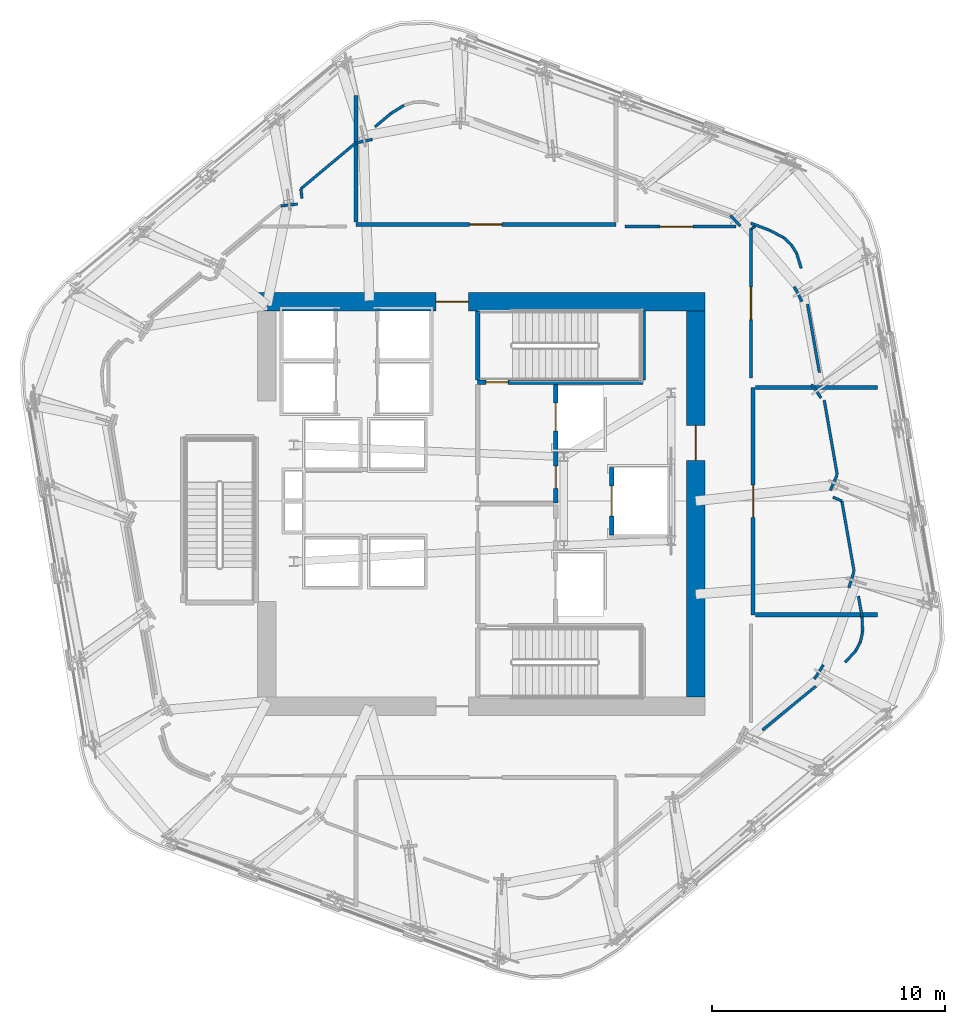
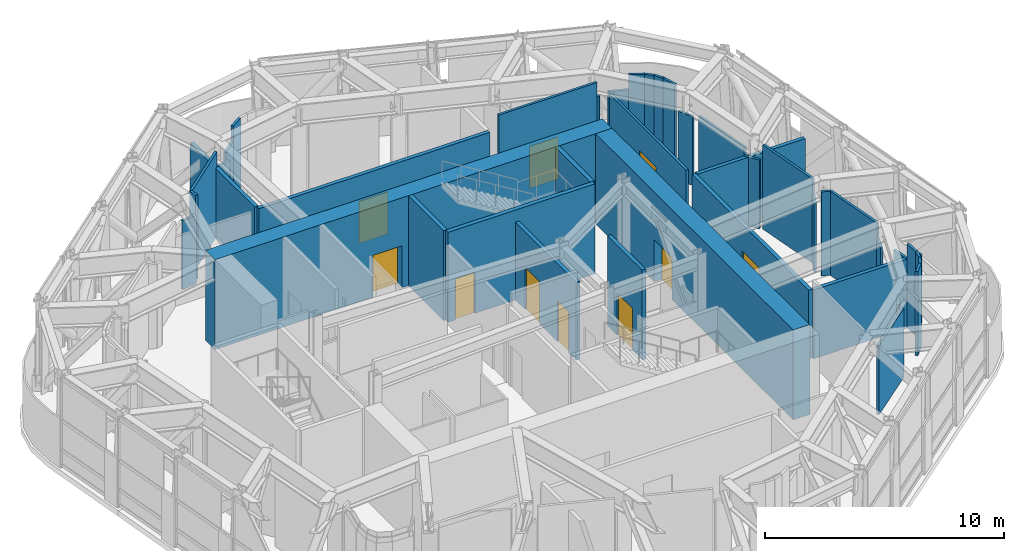
# One storey, part 11 of 16: 42 walls, 10 doors, 10 openings.
"""IFC4 building model written with IfcOpenShell, lengths in metres."""

import ifcopenshell
import ifcopenshell.guid

model = None  # the IFC model being written
_history = None  # IfcOwnerHistory: only IFC2X3 demands one
_inside = {}  # id of a spatial element -> (the spatial element, [elements in it])
_under = {}  # id of a project, library or spatial element -> (it, [spatial elements below it])
_declared = {}  # id of a project -> (the project, [libraries it declares])
_typed = {}  # id of a type object -> (the type object, [elements of that type])
_made_of = {}  # id of a material, layer set ... -> (it, [elements and type objects made of it])


def new_model(schema):
    """Start an empty IFC model of exactly this schema.

    Asked for "IFC4X3", IfcOpenShell would pick the latest addendum, in which some entities
    have other attributes; the version numbers below select the first issue.
    IFC2X3 requires an IfcOwnerHistory on every rooted entity: one is made here for all.
    """
    global model, _history
    if schema == "IFC4X3":
        model = ifcopenshell.file(schema_version=(4, 3, 0, 0))
    else:
        model = ifcopenshell.file(schema=schema)
    _inside.clear()
    _under.clear()
    _declared.clear()
    _typed.clear()
    _made_of.clear()
    _history = None
    if model.schema == "IFC2X3":
        org = make("IfcOrganization", Name="unknown")
        user = make(
            "IfcPersonAndOrganization",
            ThePerson=make("IfcPerson", FamilyName="unknown"),
            TheOrganization=org,
        )
        app = make(
            "IfcApplication",
            ApplicationDeveloper=org,
            Version="unknown",
            ApplicationFullName="unknown",
            ApplicationIdentifier="unknown",
        )
        _history = make(
            "IfcOwnerHistory",
            OwningUser=user,
            OwningApplication=app,
            ChangeAction="ADDED",
            CreationDate=0,
        )
    return model


def make(cls, **values):
    """One entity of the class cls with the attributes given. An attribute that is None is left unset."""
    return model.create_entity(
        cls, **{name: value for name, value in values.items() if value is not None}
    )


def rooted(cls, **values):
    """An entity with a GlobalId (a new one), such as an element, a storey or a relation."""
    return make(cls, GlobalId=ifcopenshell.guid.new(), OwnerHistory=_history, **values)


def si_unit(unit_type, name, prefix=None):
    """IfcSIUnit, for example si_unit("LENGTHUNIT", "METRE", prefix="MILLI")."""
    return make("IfcSIUnit", UnitType=unit_type, Prefix=prefix, Name=name)


def assignment(units):
    """IfcUnitAssignment: the units of a project."""
    return None if units is None else make("IfcUnitAssignment", Units=units)


def point(xyz):
    """IfcCartesianPoint."""
    return None if xyz is None else make("IfcCartesianPoint", Coordinates=xyz)


def direction(xyz):
    """IfcDirection."""
    return None if xyz is None else make("IfcDirection", DirectionRatios=xyz)


def frame(location, z_axis=None, x_axis=None):
    """IfcAxis2Placement3D, a coordinate frame: its origin and axes. An axis left out is left unset."""
    return make(
        "IfcAxis2Placement3D",
        Location=point(location),
        Axis=direction(z_axis),
        RefDirection=direction(x_axis),
    )


def frame_2d(location, x_axis=None):
    """IfcAxis2Placement2D, a coordinate frame in the plane: its origin and x axis."""
    return make(
        "IfcAxis2Placement2D", Location=point(location), RefDirection=direction(x_axis)
    )


def origin():
    """The frame at (0, 0, 0) with its axes left unset."""
    return frame((0.0, 0.0, 0.0))


def place(relative_to, where):
    """IfcLocalPlacement: puts the frame where relative to a parent placement (None: the world)."""
    return make(
        "IfcLocalPlacement", PlacementRelTo=relative_to, RelativePlacement=where
    )


def context(
    kind, dimensions, precision=None, world=None, true_north=None, identifier=None
):
    """IfcGeometricRepresentationContext, for example the 3D "Model" context."""
    return make(
        "IfcGeometricRepresentationContext",
        ContextIdentifier=identifier,
        ContextType=kind,
        CoordinateSpaceDimension=dimensions,
        Precision=precision,
        WorldCoordinateSystem=world,
        TrueNorth=true_north,
    )


def subcontext(parent, identifier, kind, view, scale=None):
    """IfcGeometricRepresentationSubContext, for example "Body" below "Model"."""
    return make(
        "IfcGeometricRepresentationSubContext",
        ContextIdentifier=identifier,
        ContextType=kind,
        ParentContext=parent,
        TargetScale=scale,
        TargetView=view,
    )


def project(units=None, contexts=None):
    """IfcProject with its units and contexts."""
    return rooted(
        "IfcProject",
        Name="project",
        RepresentationContexts=contexts,
        UnitsInContext=assignment(units),
    )


def spatial(cls, under=None, at=None, **own):
    """A site, building, storey or space (cls), placed at a placement, below another one or the project."""
    s = rooted(cls, ObjectPlacement=at, **own)
    if under is not None:
        _under.setdefault(under.id(), (under, []))[1].append(s)
    return s


def profile(cls, at=None, kind="AREA", **sizes):
    """A parametric profile (cls). Its sizes go by their IFC names, for example OverallWidth=200.0."""
    return make(cls, ProfileType=kind, Position=at, **sizes)


def rectangle(**sizes):
    """IfcRectangleProfileDef."""
    return profile("IfcRectangleProfileDef", **sizes)


def extrude(swept, where, along, depth):
    """IfcExtrudedAreaSolid: the profile swept, set in the frame where, extruded along a direction by depth."""
    return make(
        "IfcExtrudedAreaSolid",
        SweptArea=swept,
        Position=where,
        ExtrudedDirection=direction(along),
        Depth=depth,
    )


def shape(context_of_items, identifier, shape_type, items):
    """IfcShapeRepresentation: the items that make up one representation, for example the "Body"."""
    return make(
        "IfcShapeRepresentation",
        ContextOfItems=context_of_items,
        RepresentationIdentifier=identifier,
        RepresentationType=shape_type,
        Items=items,
    )


def material(Name=None, Category=None):
    """IfcMaterial."""
    return make("IfcMaterial", Name=Name, Category=Category)


def layer(
    of_material, thickness, ventilated=None, Name=None, Category=None, Priority=None
):
    """IfcMaterialLayer: one layer of a wall or slab, of a material (None: an air gap)."""
    return make(
        "IfcMaterialLayer",
        Material=of_material,
        LayerThickness=thickness,
        IsVentilated=ventilated,
        Name=Name,
        Category=Category,
        Priority=Priority,
    )


def layer_set(layers, Name=None):
    """IfcMaterialLayerSet."""
    return make("IfcMaterialLayerSet", MaterialLayers=layers, LayerSetName=Name)


def made_of(thing, what):
    """Note that an element or type object is made of a material, layer set ...; save() writes the relation."""
    if what is not None:
        _made_of.setdefault(what.id(), (what, []))[1].append(thing)
    return thing


def type_object(cls, material=None, **own):
    """A type object (cls), such as IfcWallType, which elements share."""
    return made_of(rooted(cls, **own), material)


def element(
    cls,
    number,
    at=None,
    inside=None,
    cuts=None,
    type_object=None,
    material=None,
    context=None,
    identifier="Body",
    shape_type=None,
    held_by="IfcProductDefinitionShape",
    body=None,
    shapes=None,
    **own,
):
    """One element of the class cls, such as IfcWall. Its Tag is "e" and its number.

    at: its placement. inside: the storey or other place that contains it. cuts: it is an
    opening in that element (IfcRelVoidsElement). A single representation is given by context,
    identifier, shape_type and body (its items); several are given by shapes. held_by: the class
    of the entity that holds the representations. save() writes the other relations.
    """
    e = rooted(cls, Tag="e%d" % number, ObjectPlacement=at, **own)
    if body is not None:
        shapes = [shape(context, identifier, shape_type, body)]
    if shapes is not None:
        e.Representation = make(held_by, Representations=shapes)
    if inside is not None:
        _inside.setdefault(inside.id(), (inside, []))[1].append(e)
    if cuts is not None:
        rooted(
            "IfcRelVoidsElement", RelatingBuildingElement=cuts, RelatedOpeningElement=e
        )
    if type_object is not None:
        _typed.setdefault(type_object.id(), (type_object, []))[1].append(e)
    return made_of(e, material)


def fill(opening, filler):
    """IfcRelFillsElement: the door or window that sits in an opening."""
    return rooted(
        "IfcRelFillsElement",
        RelatingOpeningElement=opening,
        RelatedBuildingElement=filler,
    )


def aggregate(whole, parts):
    """IfcRelAggregates: a whole, such as a stair, and the parts it consists of."""
    return rooted("IfcRelAggregates", RelatingObject=whole, RelatedObjects=parts)


def save(model, path):
    """Write the relations noted so far, then the file.

    IfcRelAggregates (storeys below a building ...), IfcRelContainedInSpatialStructure (elements
    in a storey), IfcRelDefinesByType, IfcRelAssociatesMaterial and IfcRelDeclares: one each for
    every whole, place, type object, material and project.
    """
    for whole, parts in _under.values():
        aggregate(whole, parts)
    for where, things in _inside.values():
        rooted(
            "IfcRelContainedInSpatialStructure",
            RelatedElements=things,
            RelatingStructure=where,
        )
    for kind, things in _typed.values():
        rooted("IfcRelDefinesByType", RelatedObjects=things, RelatingType=kind)
    for what, things in _made_of.values():
        rooted("IfcRelAssociatesMaterial", RelatedObjects=things, RelatingMaterial=what)
    for by, libraries in _declared.values():
        rooted("IfcRelDeclares", RelatingContext=by, RelatedDefinitions=libraries)
    model.write(path)


model = new_model("IFC4")

# Units and contexts
model_context = context("Model", 3, precision=1e-05, world=origin(), true_north=direction((0.0, 1.0)))
body_context = subcontext(model_context, "Body", "Model", "MODEL_VIEW")
ifc_project = project(units=[si_unit("LENGTHUNIT", "METRE"), si_unit("AREAUNIT", "SQUARE_METRE"), si_unit("VOLUMEUNIT", "CUBIC_METRE"), si_unit("PLANEANGLEUNIT", "RADIAN"), si_unit("MASSUNIT", "GRAM", prefix="KILO")], contexts=[model_context])

# Site, building, storey
site_placement = place(None, origin())
site = spatial("IfcSite", under=ifc_project, at=site_placement, CompositionType="ELEMENT")
building_placement = place(site_placement, origin())
building = spatial("IfcBuilding", under=site, at=building_placement, Name="Valkerne Bourse Tower", CompositionType="ELEMENT")
storey_placement = place(building_placement, frame((0.0, 0.0, 193.199951171875)))
storey = spatial("IfcBuildingStorey", under=building, at=storey_placement, Name="L49", CompositionType="ELEMENT", Elevation=193.199951171875)

# Wall, opening, door
ifc_material_1 = material(Name="Concrete C55/67", Category="concrete")
ifc_layer_1 = layer(ifc_material_1, 0.800048828125)
ifc_layer_set_1 = layer_set([ifc_layer_1], Name="Concrete C55/67")
wall_type_1 = type_object("IfcWallType", Name="W-CORE-800", PredefinedType="SHEAR", material=ifc_layer_set_1)
wall_1_placement = place(storey_placement, frame((37.199951171875, 35.550048828125, 0.0), z_axis=(0.0, 0.0, 1.0), x_axis=(1.0, 0.0, 0.0)))
wall_1 = element("IfcWall", 1, at=wall_1_placement, inside=storey, type_object=wall_type_1, Name="L49 Core Shear Wall NORTH", PredefinedType="SHEAR", context=body_context, shape_type="SweptSolid", body=[
    extrude(rectangle(XDim=19.199951171875, YDim=0.800048828125, at=frame_2d((9.60009765625, 0.0))), origin(), (0.0, 0.0, 1.0), 4.60009765625),
])
opening_1_placement = place(wall_1_placement, frame((7.64990234375, 0.0, 0.0)))
opening_1 = element("IfcOpeningElement", 2, at=opening_1_placement, cuts=wall_1, Name="Opening D-PL-1400", PredefinedType="OPENING", context=body_context, shape_type="SweptSolid", body=[
    extrude(rectangle(XDim=1.39990234375, YDim=2.14990234375, at=frame_2d((0.699951171875, 1.074951171875))), frame((0.0, 0.409912109375, 0.0), z_axis=(0.0, -1.0, 0.0), x_axis=(1.0, 0.0, 0.0)), (0.0, 0.0, 1.0), 0.820068359375),
])
ifc_material_2 = material(Name="Galvanised Painted Steel", Category="steel")
door_type_1 = type_object("IfcDoorType", Name="DR-PLT-1400", OperationType="DOUBLE_DOOR_SINGLE_SWING", PredefinedType="DOOR", material=ifc_material_2)
door_1_placement = place(opening_1_placement, origin())
door_1 = element("IfcDoor", 3, at=door_1_placement, inside=storey, type_object=door_type_1, Name="L49 North Passenger Lift Hall Fire Door", OperationType="DOUBLE_DOOR_SINGLE_SWING", OverallHeight=2.14990234375, OverallWidth=1.39990234375, PredefinedType="DOOR", context=body_context, shape_type="SweptSolid", body=[
    extrude(rectangle(XDim=1.39990234375, YDim=2.14990234375, at=frame_2d((0.699951171875, 1.074951171875))), frame((0.0, 0.02490234375, 0.0), z_axis=(0.0, -1.0, 0.0), x_axis=(1.0, 0.0, 0.0)), (0.0, 0.0, 1.0), 0.050048828125),
])
fill(opening_1, door_1)

wall_2_placement = place(storey_placement, frame((56.0, 18.60009765625, 0.0), z_axis=(0.0, 0.0, 1.0), x_axis=(0.0, 1.0, 0.0)))
wall_2 = element("IfcWall", 4, at=wall_2_placement, inside=storey, type_object=wall_type_1, Name="L49 Core Shear Wall EAST", PredefinedType="SHEAR", context=body_context, shape_type="SweptSolid", body=[
    extrude(rectangle(XDim=16.5498046875, YDim=0.800048828125, at=frame_2d((8.27490234375, 0.0))), origin(), (0.0, 0.0, 1.0), 4.60009765625),
])
opening_2_placement = place(wall_2_placement, frame((10.14990234375, 0.0, 0.0)))
opening_2 = element("IfcOpeningElement", 5, at=opening_2_placement, cuts=wall_2, Name="Opening D-CR-1500", PredefinedType="OPENING", context=body_context, shape_type="SweptSolid", body=[
    extrude(rectangle(XDim=1.5, YDim=2.14990234375, at=frame_2d((0.75, 1.074951171875))), frame((0.0, 0.409912109375, 0.0), z_axis=(0.0, -1.0, 0.0), x_axis=(1.0, 0.0, 0.0)), (0.0, 0.0, 1.0), 0.820068359375),
])
door_type_2 = type_object("IfcDoorType", Name="DR-CORR-1500", OperationType="DOUBLE_DOOR_SINGLE_SWING", PredefinedType="DOOR", material=ifc_material_2)
door_2_placement = place(opening_2_placement, origin())
door_2 = element("IfcDoor", 6, at=door_2_placement, inside=storey, type_object=door_type_2, Name="L49 East Core Service Lobby Fire Door", OperationType="DOUBLE_DOOR_SINGLE_SWING", OverallHeight=2.14990234375, OverallWidth=1.5, PredefinedType="DOOR", context=body_context, shape_type="SweptSolid", body=[
    extrude(rectangle(XDim=1.5, YDim=2.14990234375, at=frame_2d((0.75, 1.074951171875))), frame((0.0, 0.02490234375, 0.0), z_axis=(0.0, -1.0, 0.0), x_axis=(1.0, 0.0, 0.0)), (0.0, 0.0, 1.0), 0.050048828125),
])
fill(opening_2, door_2)

# Walls
ifc_material_3 = material(Name="Gypsum Board Steel-Stud Partition", Category="steel")
ifc_layer_2 = layer(ifc_material_3, 0.117919921875)
ifc_layer_set_2 = layer_set([ifc_layer_2], Name="Gypsum Board Steel-Stud Partition")
wall_type_2 = type_object("IfcWallType", Name="W-CORR-140", PredefinedType="PARTITIONING", material=ifc_layer_set_2)
wall_3_placement = place(storey_placement, frame((60.2314453125, 36.199462890625, 0.0), z_axis=(0.0, 0.0, 1.0), x_axis=(0.462206703767, -0.886772215957, 0.0)))
element("IfcWall", 7, at=wall_3_placement, inside=storey, type_object=wall_type_2, Name="L49 L49 Outrigger Truss Gallery Ring Wall", PredefinedType="PARTITIONING", context=body_context, shape_type="SweptSolid", body=[
    extrude(rectangle(XDim=0.719970703125, YDim=0.117919921875, at=frame_2d((0.35986328125, 0.0))), origin(), (0.0, 0.0, 1.0), 3.523193359375),
])
wall_4_placement = place(storey_placement, frame((60.802734375, 35.447265625, 0.0), z_axis=(0.0, 0.0, 1.0), x_axis=(0.171888490013, -0.985116412918, 0.0)))
element("IfcWall", 8, at=wall_4_placement, inside=storey, type_object=wall_type_2, Name="L49 L49 Outrigger Truss Gallery Ring Wall", PredefinedType="PARTITIONING", context=body_context, shape_type="SweptSolid", body=[
    extrude(rectangle(XDim=2.97412109375, YDim=0.117919921875, at=frame_2d((1.487060546875, 0.0))), origin(), (0.0, 0.0, 1.0), 3.523193359375),
])
wall_5_placement = place(storey_placement, frame((60.973388671875, 32.008056640625, 0.0), z_axis=(0.0, 0.0, 1.0), x_axis=(0.576030770837, -0.817428009704, 0.0)))
element("IfcWall", 9, at=wall_5_placement, inside=storey, type_object=wall_type_2, Name="L49 L49 Outrigger Truss Gallery Ring Wall", PredefinedType="PARTITIONING", context=body_context, shape_type="SweptSolid", body=[
    extrude(rectangle(XDim=0.719970703125, YDim=0.117919921875, at=frame_2d((0.35986328125, 0.0))), origin(), (0.0, 0.0, 1.0), 3.523193359375),
])
wall_6_placement = place(storey_placement, frame((61.520751953125, 31.33154296875, 0.0), z_axis=(0.0, 0.0, 1.0), x_axis=(0.171858524187, -0.98512164105, 0.0)))
element("IfcWall", 10, at=wall_6_placement, inside=storey, type_object=wall_type_2, Name="L49 L49 Outrigger Truss Gallery Ring Wall", PredefinedType="PARTITIONING", context=body_context, shape_type="SweptSolid", body=[
    extrude(rectangle(XDim=3.24609375, YDim=0.117919921875, at=frame_2d((1.623046875, 0.0))), origin(), (0.0, 0.0, 1.0), 4.300048828125),
])
wall_7_placement = place(storey_placement, frame((62.0703125, 28.116943359375, 0.0), z_axis=(0.0, 0.0, 1.0), x_axis=(-0.399804609458, -0.916600389623, 0.0)))
element("IfcWall", 11, at=wall_7_placement, inside=storey, type_object=wall_type_2, Name="L49 L49 Outrigger Truss Gallery Ring Wall", PredefinedType="PARTITIONING", context=body_context, shape_type="SweptSolid", body=[
    extrude(rectangle(XDim=0.719970703125, YDim=0.117919921875, at=frame_2d((0.35986328125, 0.0))), origin(), (0.0, 0.0, 1.0), 3.523193359375),
])
wall_8_placement = place(storey_placement, frame((61.89599609375, 27.16748046875, 0.0), z_axis=(0.0, 0.0, 1.0), x_axis=(0.916629599636, -0.399737635294, 0.0)))
element("IfcWall", 12, at=wall_8_placement, inside=storey, type_object=wall_type_2, Name="L49 L49 Outrigger Truss Gallery Ring Wall", PredefinedType="PARTITIONING", context=body_context, shape_type="SweptSolid", body=[
    extrude(rectangle(XDim=0.414794921875, YDim=0.117919921875, at=frame_2d((0.20751953125, 0.0))), origin(), (0.0, 0.0, 1.0), 4.300048828125),
])
wall_9_placement = place(storey_placement, frame((62.276123046875, 27.001708984375, 0.0), z_axis=(0.0, 0.0, 1.0), x_axis=(0.171832676882, -0.985126149869, 0.0)))
element("IfcWall", 13, at=wall_9_placement, inside=storey, type_object=wall_type_2, Name="L49 L49 Outrigger Truss Gallery Ring Wall", PredefinedType="PARTITIONING", context=body_context, shape_type="SweptSolid", body=[
    extrude(rectangle(XDim=3.060302734375, YDim=0.117919921875, at=frame_2d((1.5302734375, 0.0))), origin(), (0.0, 0.0, 1.0), 4.300048828125),
])
wall_10_placement = place(storey_placement, frame((62.794921875, 23.96728515625, 0.0), z_axis=(0.0, 0.0, 1.0), x_axis=(-0.302769797179, -0.953063717658, 0.0)))
element("IfcWall", 14, at=wall_10_placement, inside=storey, type_object=wall_type_2, Name="L49 L49 Outrigger Truss Gallery Ring Wall", PredefinedType="PARTITIONING", context=body_context, shape_type="SweptSolid", body=[
    extrude(rectangle(XDim=0.719970703125, YDim=0.117919921875, at=frame_2d((0.35986328125, 0.0))), origin(), (0.0, 0.0, 1.0), 3.523193359375),
])
wall_11_placement = place(storey_placement, frame((62.98828125, 22.919677734375, 0.0), z_axis=(0.0, 0.0, 1.0), x_axis=(0.17203858217, -0.985090212237, 0.0)))
element("IfcWall", 15, at=wall_11_placement, inside=storey, type_object=wall_type_2, Name="L49 L49 Outrigger Truss Gallery Ring Wall", PredefinedType="PARTITIONING", context=body_context, shape_type="SweptSolid", body=[
    extrude(rectangle(XDim=0.901123046875, YDim=0.117919921875, at=frame_2d((0.45068359375, 0.0))), origin(), (0.0, 0.0, 1.0), 3.523193359375),
])
wall_12_placement = place(storey_placement, frame((63.143310546875, 22.031982421875, 0.0), z_axis=(0.0, 0.0, 1.0), x_axis=(0.036353089378, -0.999339007991, 0.0)))
element("IfcWall", 16, at=wall_12_placement, inside=storey, type_object=wall_type_2, Name="L49 L49 Outrigger Truss Gallery Ring Wall", PredefinedType="PARTITIONING", context=body_context, shape_type="SweptSolid", body=[
    extrude(rectangle(XDim=0.658203125, YDim=0.117919921875, at=frame_2d((0.3291015625, 0.0))), origin(), (0.0, 0.0, 1.0), 4.300048828125),
])
wall_13_placement = place(storey_placement, frame((63.167236328125, 21.374267578125, 0.0), z_axis=(0.0, 0.0, 1.0), x_axis=(-0.223387238234, -0.974729778859, 0.0)))
element("IfcWall", 17, at=wall_13_placement, inside=storey, type_object=wall_type_2, Name="L49 L49 Outrigger Truss Gallery Ring Wall", PredefinedType="PARTITIONING", context=body_context, shape_type="SweptSolid", body=[
    extrude(rectangle(XDim=0.43603515625, YDim=0.117919921875, at=frame_2d((0.218017578125, 0.0))), origin(), (0.0, 0.0, 1.0), 4.300048828125),
])
wall_14_placement = place(storey_placement, frame((63.06982421875, 20.94921875, 0.0), z_axis=(0.0, 0.0, 1.0), x_axis=(-0.467707561161, -0.883883271271, 0.0)))
element("IfcWall", 18, at=wall_14_placement, inside=storey, type_object=wall_type_2, Name="L49 L49 Outrigger Truss Gallery Ring Wall", PredefinedType="PARTITIONING", context=body_context, shape_type="SweptSolid", body=[
    extrude(rectangle(XDim=0.435791015625, YDim=0.117919921875, at=frame_2d((0.2177734375, 0.0))), origin(), (0.0, 0.0, 1.0), 4.300048828125),
])
wall_15_placement = place(storey_placement, frame((62.865966796875, 20.56396484375, 0.0), z_axis=(0.0, 0.0, 1.0), x_axis=(-0.680664484779, -0.732595290157, 0.0)))
element("IfcWall", 19, at=wall_15_placement, inside=storey, type_object=wall_type_2, Name="L49 L49 Outrigger Truss Gallery Ring Wall", PredefinedType="PARTITIONING", context=body_context, shape_type="SweptSolid", body=[
    extrude(rectangle(XDim=0.658203125, YDim=0.117919921875, at=frame_2d((0.3291015625, 0.0))), origin(), (0.0, 0.0, 1.0), 4.300048828125),
])
wall_16_placement = place(storey_placement, frame((61.482666015625, 19.9677734375, 0.0), z_axis=(0.0, 0.0, 1.0), x_axis=(-0.536809663503, -0.843703375108, 0.0)))
element("IfcWall", 20, at=wall_16_placement, inside=storey, type_object=wall_type_2, Name="L49 L49 Outrigger Truss Gallery Ring Wall", PredefinedType="PARTITIONING", context=body_context, shape_type="SweptSolid", body=[
    extrude(rectangle(XDim=0.719970703125, YDim=0.117919921875, at=frame_2d((0.35986328125, 0.0))), origin(), (0.0, 0.0, 1.0), 3.523193359375),
])
wall_17_placement = place(storey_placement, frame((61.164794921875, 19.055908203125, 0.0), z_axis=(0.0, 0.0, 1.0), x_axis=(-0.773818097711, -0.633407887269, 0.0)))
element("IfcWall", 21, at=wall_17_placement, inside=storey, type_object=wall_type_2, Name="L49 L49 Outrigger Truss Gallery Ring Wall", PredefinedType="PARTITIONING", context=body_context, shape_type="SweptSolid", body=[
    extrude(rectangle(XDim=2.9697265625, YDim=0.117919921875, at=frame_2d((1.48486328125, 0.0))), origin(), (0.0, 0.0, 1.0), 3.523193359375),
])
wall_18_placement = place(storey_placement, frame((38.197509765625, 39.666015625, 0.0), z_axis=(0.0, 0.0, 1.0), x_axis=(0.99372142518, 0.111882657901, 0.0)))
element("IfcWall", 22, at=wall_18_placement, inside=storey, type_object=wall_type_2, Name="L49 L49 Outrigger Truss Gallery Ring Wall", PredefinedType="PARTITIONING", context=body_context, shape_type="SweptSolid", body=[
    extrude(rectangle(XDim=0.72021484375, YDim=0.117919921875, at=frame_2d((0.360107421875, 0.0))), origin(), (0.0, 0.0, 1.0), 3.523193359375),
])
wall_19_placement = place(storey_placement, frame((39.10693359375, 39.989990234375, 0.0), z_axis=(0.0, 0.0, 1.0), x_axis=(-0.111918379668, 0.993717402631, 0.0)))
element("IfcWall", 23, at=wall_19_placement, inside=storey, type_object=wall_type_2, Name="L49 L49 Outrigger Truss Gallery Ring Wall", PredefinedType="PARTITIONING", context=body_context, shape_type="SweptSolid", body=[
    extrude(rectangle(XDim=0.41455078125, YDim=0.117919921875, at=frame_2d((0.207275390625, 0.0))), origin(), (0.0, 0.0, 1.0), 4.300048828125),
])
wall_20_placement = place(storey_placement, frame((39.060546875, 40.40185546875, 0.0), z_axis=(0.0, 0.0, 1.0), x_axis=(0.767206767968, 0.641399855928, 0.0)))
element("IfcWall", 24, at=wall_20_placement, inside=storey, type_object=wall_type_2, Name="L49 L49 Outrigger Truss Gallery Ring Wall", PredefinedType="PARTITIONING", context=body_context, shape_type="SweptSolid", body=[
    extrude(rectangle(XDim=3.060302734375, YDim=0.117919921875, at=frame_2d((1.5302734375, 0.0))), origin(), (0.0, 0.0, 1.0), 4.300048828125),
])
wall_21_placement = place(storey_placement, frame((41.428955078125, 42.368408203125, 0.0), z_axis=(0.0, 0.0, 1.0), x_axis=(0.976758199789, 0.214344160509, 0.0)))
element("IfcWall", 25, at=wall_21_placement, inside=storey, type_object=wall_type_2, Name="L49 L49 Outrigger Truss Gallery Ring Wall", PredefinedType="PARTITIONING", context=body_context, shape_type="SweptSolid", body=[
    extrude(rectangle(XDim=0.719970703125, YDim=0.117919921875, at=frame_2d((0.35986328125, 0.0))), origin(), (0.0, 0.0, 1.0), 3.523193359375),
])
wall_22_placement = place(storey_placement, frame((42.239501953125, 43.0595703125, 0.0), z_axis=(0.0, 0.0, 1.0), x_axis=(0.767154426681, 0.641462458468, 0.0)))
element("IfcWall", 26, at=wall_22_placement, inside=storey, type_object=wall_type_2, Name="L49 L49 Outrigger Truss Gallery Ring Wall", PredefinedType="PARTITIONING", context=body_context, shape_type="SweptSolid", body=[
    extrude(rectangle(XDim=0.9013671875, YDim=0.117919921875, at=frame_2d((0.45068359375, 0.0))), origin(), (0.0, 0.0, 1.0), 3.523193359375),
])
wall_23_placement = place(storey_placement, frame((42.930908203125, 43.6376953125, 0.0), z_axis=(0.0, 0.0, 1.0), x_axis=(0.847247220746, 0.531198782885, 0.0)))
element("IfcWall", 27, at=wall_23_placement, inside=storey, type_object=wall_type_2, Name="L49 L49 Outrigger Truss Gallery Ring Wall", PredefinedType="PARTITIONING", context=body_context, shape_type="SweptSolid", body=[
    extrude(rectangle(XDim=0.658203125, YDim=0.117919921875, at=frame_2d((0.3291015625, 0.0))), origin(), (0.0, 0.0, 1.0), 4.300048828125),
])
wall_24_placement = place(storey_placement, frame((57.495361328125, 39.25732421875, 0.0), z_axis=(0.0, 0.0, 1.0), x_axis=(0.67417510384, -0.738571546542, 0.0)))
element("IfcWall", 28, at=wall_24_placement, inside=storey, type_object=wall_type_2, Name="L49 L49 Outrigger Truss Gallery Ring Wall", PredefinedType="PARTITIONING", context=body_context, shape_type="SweptSolid", body=[
    extrude(rectangle(XDim=0.6142578125, YDim=0.117919921875, at=frame_2d((0.30712890625, 0.0))), origin(), (0.0, 0.0, 1.0), 3.523193359375),
])
wall_25_placement = place(storey_placement, frame((58.370361328125, 38.9267578125, 0.0), z_axis=(0.0, 0.0, 1.0), x_axis=(0.935393910306, -0.353607455467, 0.0)))
element("IfcWall", 29, at=wall_25_placement, inside=storey, type_object=wall_type_2, Name="L49 L49 Outrigger Truss Gallery Ring Wall", PredefinedType="PARTITIONING", context=body_context, shape_type="SweptSolid", body=[
    extrude(rectangle(XDim=0.8720703125, YDim=0.117919921875, at=frame_2d((0.43603515625, 0.0))), origin(), (0.0, 0.0, 1.0), 3.523193359375),
])
wall_26_placement = place(storey_placement, frame((59.18603515625, 38.618408203125, 0.0), z_axis=(0.0, 0.0, 1.0), x_axis=(0.883866913623, -0.467738472869, 0.0)))
element("IfcWall", 30, at=wall_26_placement, inside=storey, type_object=wall_type_2, Name="L49 L49 Outrigger Truss Gallery Ring Wall", PredefinedType="PARTITIONING", context=body_context, shape_type="SweptSolid", body=[
    extrude(rectangle(XDim=0.676513671875, YDim=0.117919921875, at=frame_2d((0.33837890625, 0.0))), origin(), (0.0, 0.0, 1.0), 4.300048828125),
])
for number, where, z_axis, x_axis, name in (
    (31, (59.783935546875, 38.302001953125, 0.0), (0.0, 0.0, 1.0), (0.732673777396, -0.680579999645, 0.0), "L49 L49 Outrigger Truss Gallery Ring Wall"),
    (32, (60.103271484375, 38.00537109375, 0.0), (0.0, 0.0, 1.0), (0.530955142691, -0.847399927101, 0.0), "L49 L49 Outrigger Truss Gallery Ring Wall"),
):
    element("IfcWall", number, at=place(storey_placement, frame(where, z_axis=z_axis, x_axis=x_axis)), inside=storey, type_object=wall_type_2, Name=name, PredefinedType="PARTITIONING", context=body_context, shape_type="SweptSolid", body=[
        extrude(rectangle(XDim=0.435791015625, YDim=0.117919921875, at=frame_2d((0.2177734375, 0.0))), origin(), (0.0, 0.0, 1.0), 4.300048828125),
    ])
wall_27_placement = place(storey_placement, frame((60.334716796875, 37.635986328125, 0.0), z_axis=(0.0, 0.0, 1.0), x_axis=(0.294161936883, -0.9557555937, 0.0)))
element("IfcWall", 33, at=wall_27_placement, inside=storey, type_object=wall_type_2, Name="L49 L49 Outrigger Truss Gallery Ring Wall", PredefinedType="PARTITIONING", context=body_context, shape_type="SweptSolid", body=[
    extrude(rectangle(XDim=0.676513671875, YDim=0.117919921875, at=frame_2d((0.33837890625, 0.0))), origin(), (0.0, 0.0, 1.0), 4.300048828125),
])

# Wall, opening, door
wall_28_placement = place(storey_placement, frame((58.3798828125, 38.700927734375, 0.0), z_axis=(0.0, 0.0, 1.0), x_axis=(0.0, -1.0, 0.0)))
wall_28 = element("IfcWall", 34, at=wall_28_placement, inside=storey, type_object=wall_type_2, Name="L49 Corridor Enclosure Wall", PredefinedType="PARTITIONING", context=body_context, shape_type="SweptSolid", body=[
    extrude(rectangle(XDim=6.420654296875, YDim=0.117919921875, at=frame_2d((3.21044921875, 0.0))), origin(), (0.0, 0.0, 1.0), 3.523193359375),
])
opening_3_placement = place(wall_28_placement, frame((2.510498046875, 0.0, 0.0)))
opening_3 = element("IfcOpeningElement", 35, at=opening_3_placement, cuts=wall_28, Name="Opening D-PL-1400", PredefinedType="OPENING", context=body_context, shape_type="SweptSolid", body=[
    extrude(rectangle(XDim=1.39990234375, YDim=2.14990234375, at=frame_2d((0.699951171875, 1.074951171875))), frame((0.0, 0.06884765625, 0.0), z_axis=(0.0, -1.0, 0.0), x_axis=(1.0, 0.0, 0.0)), (0.0, 0.0, 1.0), 0.137939453125),
])
door_3_placement = place(opening_3_placement, origin())
door_3 = element("IfcDoor", 36, at=door_3_placement, inside=storey, type_object=door_type_1, Name="L49 L49 High-Voltage Transformer Electrical Switchroom Plant 3 Door", OperationType="DOUBLE_DOOR_SINGLE_SWING", OverallHeight=2.14990234375, OverallWidth=1.39990234375, PredefinedType="DOOR", context=body_context, shape_type="SweptSolid", body=[
    extrude(rectangle(XDim=1.39990234375, YDim=2.14990234375, at=frame_2d((0.699951171875, 1.074951171875))), frame((0.0, 0.02490234375, 0.0), z_axis=(0.0, -1.0, 0.0), x_axis=(1.0, 0.0, 0.0)), (0.0, 0.0, 1.0), 0.050048828125),
])
fill(opening_3, door_3)

wall_29_placement = place(storey_placement, frame((52.980224609375, 38.780029296875, 0.0), z_axis=(0.0, 0.0, 1.0), x_axis=(1.0, 0.0, 0.0)))
wall_29 = element("IfcWall", 37, at=wall_29_placement, inside=storey, type_object=wall_type_2, Name="L49 Corridor Enclosure Wall", PredefinedType="PARTITIONING", context=body_context, shape_type="SweptSolid", body=[
    extrude(rectangle(XDim=4.76123046875, YDim=0.117919921875, at=frame_2d((2.380615234375, 0.0))), origin(), (0.0, 0.0, 1.0), 4.300048828125),
])
opening_4_placement = place(wall_29_placement, frame((1.50048828125, 0.0, 0.0)))
opening_4 = element("IfcOpeningElement", 38, at=opening_4_placement, cuts=wall_29, Name="Opening D-PL-1400", PredefinedType="OPENING", context=body_context, shape_type="SweptSolid", body=[
    extrude(rectangle(XDim=1.39990234375, YDim=2.14990234375, at=frame_2d((0.699951171875, 1.074951171875))), frame((0.0, 0.06884765625, 0.0), z_axis=(0.0, -1.0, 0.0), x_axis=(1.0, 0.0, 0.0)), (0.0, 0.0, 1.0), 0.137939453125),
])
door_4_placement = place(opening_4_placement, origin())
door_4 = element("IfcDoor", 39, at=door_4_placement, inside=storey, type_object=door_type_1, Name="L49 L49 Sprinkler Reserve & Booster Pump Plant Room 4 Door", OperationType="DOUBLE_DOOR_SINGLE_SWING", OverallHeight=2.14990234375, OverallWidth=1.39990234375, PredefinedType="DOOR", context=body_context, shape_type="SweptSolid", body=[
    extrude(rectangle(XDim=1.39990234375, YDim=2.14990234375, at=frame_2d((0.699951171875, 1.074951171875))), frame((0.0, 0.02490234375, 0.0), z_axis=(0.0, -1.0, 0.0), x_axis=(1.0, 0.0, 0.0)), (0.0, 0.0, 1.0), 0.050048828125),
])
fill(opening_4, door_4)

# Wall, openings, doors
ifc_material_4 = material(Name="Gypsum Fire-Rated Shaftwall", Category="gypsum")
ifc_layer_3 = layer(ifc_material_4, 0.179931640625)
ifc_layer_set_3 = layer_set([ifc_layer_3], Name="Gypsum Fire-Rated Shaftwall")
wall_type_3 = type_object("IfcWallType", Name="W-FSAE-180", PredefinedType="PARTITIONING", material=ifc_layer_set_3)
wall_30_placement = place(storey_placement, frame((50.0, 26.919921875, 0.0), z_axis=(0.0, 0.0, 1.0), x_axis=(0.0, 1.0, 0.0)))
wall_30 = element("IfcWall", 40, at=wall_30_placement, inside=storey, type_object=wall_type_3, Name="L49 FSAE-2 Lobby & Shaft Front Wall", PredefinedType="PARTITIONING", context=body_context, shape_type="SweptSolid", body=[
    extrude(rectangle(XDim=5.080078125, YDim=0.179931640625, at=frame_2d((2.5400390625, 0.0))), origin(), (0.0, 0.0, 1.0), 3.97802734375),
])
opening_5_placement = place(wall_30_placement, frame((3.080078125, 0.0, 0.0)))
opening_5 = element("IfcOpeningElement", 41, at=opening_5_placement, cuts=wall_30, Name="Opening LD-1200", PredefinedType="OPENING", context=body_context, shape_type="SweptSolid", body=[
    extrude(rectangle(XDim=1.199951171875, YDim=2.14990234375, at=frame_2d((0.60009765625, 1.074951171875))), frame((0.0, 0.099853515625, 0.0), z_axis=(0.0, -1.0, 0.0), x_axis=(1.0, 0.0, 0.0)), (0.0, 0.0, 1.0), 0.199951171875),
])
opening_6_placement = place(wall_30_placement, frame((0.6298828125, 0.0, 0.0)))
opening_6 = element("IfcOpeningElement", 42, at=opening_6_placement, cuts=wall_30, Name="Opening D-FS-950", PredefinedType="OPENING", context=body_context, shape_type="SweptSolid", body=[
    extrude(rectangle(XDim=0.949951171875, YDim=2.10009765625, at=frame_2d((0.47509765625, 1.050048828125))), frame((0.0, 0.099853515625, 0.0), z_axis=(0.0, -1.0, 0.0), x_axis=(1.0, 0.0, 0.0)), (0.0, 0.0, 1.0), 0.199951171875),
])
door_type_3 = type_object("IfcDoorType", Name="DR-FSAE-950", OperationType="NOTDEFINED", PredefinedType="DOOR", material=ifc_material_2)
door_5_placement = place(opening_6_placement, origin())
door_5 = element("IfcDoor", 43, at=door_5_placement, inside=storey, type_object=door_type_3, Name="L49 FSAE-2 Lobby Corridor Fire Door", OperationType="SINGLE_SWING_RIGHT", OverallHeight=2.10009765625, OverallWidth=0.949951171875, PredefinedType="DOOR", context=body_context, shape_type="SweptSolid", body=[
    extrude(rectangle(XDim=0.949951171875, YDim=2.10009765625, at=frame_2d((0.47509765625, 1.050048828125))), frame((0.0, 0.02490234375, 0.0), z_axis=(0.0, -1.0, 0.0), x_axis=(1.0, 0.0, 0.0)), (0.0, 0.0, 1.0), 0.050048828125),
])
fill(opening_6, door_5)
ifc_material_5 = material(Name="Stainless Steel AISI 316", Category="steel")
door_type_4 = type_object("IfcDoorType", Name="DR-LIFT-1200", OperationType="DOUBLE_DOOR_SLIDING", PredefinedType="DOOR", material=ifc_material_5)
door_6_placement = place(opening_5_placement, origin())
door_6 = element("IfcDoor", 44, at=door_6_placement, inside=storey, type_object=door_type_4, Name="L49 FSAE-2 Firefighting Lift Landing Door", OperationType="DOUBLE_DOOR_SLIDING", OverallHeight=2.14990234375, OverallWidth=1.199951171875, PredefinedType="DOOR", context=body_context, shape_type="SweptSolid", body=[
    extrude(rectangle(XDim=1.199951171875, YDim=2.14990234375, at=frame_2d((0.60009765625, 1.074951171875))), frame((0.0, 0.02490234375, 0.0), z_axis=(0.0, -1.0, 0.0), x_axis=(1.0, 0.0, 0.0)), (0.0, 0.0, 1.0), 0.050048828125),
])
fill(opening_5, door_6)

# Wall, opening, door
wall_31_placement = place(storey_placement, frame((41.419921875, 38.8701171875, 0.0), z_axis=(0.0, 0.0, 1.0), x_axis=(1.0, 0.0, 0.0)))
wall_31 = element("IfcWall", 45, at=wall_31_placement, inside=storey, type_object=wall_type_3, Name="L49 L49 North Sky Refuge Fire Wall", PredefinedType="PARTITIONING", context=body_context, shape_type="SweptSolid", body=[
    extrude(rectangle(XDim=11.16015625, YDim=0.179931640625, at=frame_2d((5.580078125, 0.0))), origin(), (0.0, 0.0, 1.0), 3.523193359375),
])
opening_7_placement = place(wall_31_placement, frame((4.8798828125, 0.0, 0.0)))
opening_7 = element("IfcOpeningElement", 46, at=opening_7_placement, cuts=wall_31, Name="Opening D-PL-1400", PredefinedType="OPENING", context=body_context, shape_type="SweptSolid", body=[
    extrude(rectangle(XDim=1.39990234375, YDim=2.14990234375, at=frame_2d((0.699951171875, 1.074951171875))), frame((0.0, 0.099853515625, 0.0), z_axis=(0.0, -1.0, 0.0), x_axis=(1.0, 0.0, 0.0)), (0.0, 0.0, 1.0), 0.199951171875),
])
door_7_placement = place(opening_7_placement, origin())
door_7 = element("IfcDoor", 47, at=door_7_placement, inside=storey, type_object=door_type_1, Name="L49 L49 North Sky Refuge Door", OperationType="DOUBLE_DOOR_SINGLE_SWING", OverallHeight=2.14990234375, OverallWidth=1.39990234375, PredefinedType="DOOR", context=body_context, shape_type="SweptSolid", body=[
    extrude(rectangle(XDim=1.39990234375, YDim=2.14990234375, at=frame_2d((0.699951171875, 1.074951171875))), frame((0.0, 0.02490234375, 0.0), z_axis=(0.0, -1.0, 0.0), x_axis=(1.0, 0.0, 0.0)), (0.0, 0.0, 1.0), 0.050048828125),
])
fill(opening_7, door_7)

# Wall
wall_32_placement = place(storey_placement, frame((41.419921875, 38.97998046875, 0.0), z_axis=(0.0, 0.0, 1.0), x_axis=(0.0, 1.0, 0.0)))
element("IfcWall", 48, at=wall_32_placement, inside=storey, type_object=wall_type_3, Name="L49 L49 North Sky Refuge West Wall", PredefinedType="PARTITIONING", context=body_context, shape_type="SweptSolid", body=[
    extrude(rectangle(XDim=5.419921875, YDim=0.179931640625, at=frame_2d((2.7099609375, 0.0))), origin(), (0.0, 0.0, 1.0), 3.523193359375),
])

# Wall, opening, door
wall_33_placement = place(storey_placement, frame((58.469970703125, 22.1201171875, 0.0), z_axis=(0.0, 0.0, 1.0), x_axis=(0.0, 1.0, 0.0)))
wall_33 = element("IfcWall", 49, at=wall_33_placement, inside=storey, type_object=wall_type_3, Name="L49 L49 East Sky Refuge Fire Wall", PredefinedType="PARTITIONING", context=body_context, shape_type="SweptSolid", body=[
    extrude(rectangle(XDim=9.759765625, YDim=0.179931640625, at=frame_2d((4.8798828125, 0.0))), origin(), (0.0, 0.0, 1.0), 3.523193359375),
])
opening_8_placement = place(wall_33_placement, frame((4.179931640625, 0.0, 0.0)))
opening_8 = element("IfcOpeningElement", 50, at=opening_8_placement, cuts=wall_33, Name="Opening D-PL-1400", PredefinedType="OPENING", context=body_context, shape_type="SweptSolid", body=[
    extrude(rectangle(XDim=1.39990234375, YDim=2.14990234375, at=frame_2d((0.699951171875, 1.074951171875))), frame((0.0, 0.099853515625, 0.0), z_axis=(0.0, -1.0, 0.0), x_axis=(1.0, 0.0, 0.0)), (0.0, 0.0, 1.0), 0.199951171875),
])
door_8_placement = place(opening_8_placement, origin())
door_8 = element("IfcDoor", 51, at=door_8_placement, inside=storey, type_object=door_type_1, Name="L49 L49 East Sky Refuge Door", OperationType="DOUBLE_DOOR_SINGLE_SWING", OverallHeight=2.14990234375, OverallWidth=1.39990234375, PredefinedType="DOOR", context=body_context, shape_type="SweptSolid", body=[
    extrude(rectangle(XDim=1.39990234375, YDim=2.14990234375, at=frame_2d((0.699951171875, 1.074951171875))), frame((0.0, 0.02490234375, 0.0), z_axis=(0.0, -1.0, 0.0), x_axis=(1.0, 0.0, 0.0)), (0.0, 0.0, 1.0), 0.050048828125),
])
fill(opening_8, door_8)

# Walls
for number, where, z_axis, x_axis, name in (
    (52, (58.580078125, 22.1201171875, 0.0), (0.0, 0.0, 1.0), (1.0, 0.0, 0.0), "L49 L49 East Sky Refuge South Wall"),
    (53, (58.580078125, 31.8798828125, 0.0), (0.0, 0.0, 1.0), (1.0, 0.0, 0.0), "L49 L49 East Sky Refuge North Wall"),
):
    element("IfcWall", number, at=place(storey_placement, frame(where, z_axis=z_axis, x_axis=x_axis)), inside=storey, type_object=wall_type_3, Name=name, PredefinedType="PARTITIONING", context=body_context, shape_type="SweptSolid", body=[
        extrude(rectangle(XDim=5.219970703125, YDim=0.179931640625, at=frame_2d((2.60986328125, 0.0))), origin(), (0.0, 0.0, 1.0), 3.523193359375),
    ])

# Wall, opening, door
ifc_material_6 = material(Name="CMU Blockwork Masonry 200mm", Category="masonry")
ifc_layer_4 = layer(ifc_material_6, 0.179931640625)
ifc_layer_set_4 = layer_set([ifc_layer_4], Name="CMU Blockwork Masonry 200mm")
wall_type_4 = type_object("IfcWallType", Name="W-LFT-180", PredefinedType="SOLIDWALL", material=ifc_layer_set_4)
wall_34_placement = place(storey_placement, frame((52.39990234375, 25.550048828125, 0.0), z_axis=(0.0, 0.0, 1.0), x_axis=(0.0, 1.0, 0.0)))
wall_34 = element("IfcWall", 54, at=wall_34_placement, inside=storey, type_object=wall_type_4, Name="L49 Service Lift SV-1 Front Wall", PredefinedType="SOLIDWALL", context=body_context, shape_type="SweptSolid", body=[
    extrude(rectangle(XDim=2.89990234375, YDim=0.179931640625, at=frame_2d((1.449951171875, 0.0))), origin(), (0.0, 0.0, 1.0), 4.60009765625),
])
opening_9_placement = place(wall_34_placement, frame((0.800048828125, 0.0, 0.0)))
opening_9 = element("IfcOpeningElement", 55, at=opening_9_placement, cuts=wall_34, Name="Opening LD-1300", PredefinedType="OPENING", context=body_context, shape_type="SweptSolid", body=[
    extrude(rectangle(XDim=1.300048828125, YDim=2.14990234375, at=frame_2d((0.64990234375, 1.074951171875))), frame((0.0, 0.099853515625, 0.0), z_axis=(0.0, -1.0, 0.0), x_axis=(1.0, 0.0, 0.0)), (0.0, 0.0, 1.0), 0.199951171875),
])
door_type_5 = type_object("IfcDoorType", Name="DR-LIFT-1300", OperationType="DOUBLE_DOOR_SLIDING", PredefinedType="DOOR", material=ifc_material_5)
door_9_placement = place(opening_9_placement, origin())
door_9 = element("IfcDoor", 56, at=door_9_placement, inside=storey, type_object=door_type_5, Name="L49 Service Lift SV-1 Landing Door", OperationType="DOUBLE_DOOR_SLIDING", OverallHeight=2.14990234375, OverallWidth=1.300048828125, PredefinedType="DOOR", context=body_context, shape_type="SweptSolid", body=[
    extrude(rectangle(XDim=1.300048828125, YDim=2.14990234375, at=frame_2d((0.64990234375, 1.074951171875))), frame((0.0, 0.02490234375, 0.0), z_axis=(0.0, -1.0, 0.0), x_axis=(1.0, 0.0, 0.0)), (0.0, 0.0, 1.0), 0.050048828125),
])
fill(opening_9, door_9)

# Wall
ifc_layer_5 = layer(ifc_material_3, 0.092041015625)
ifc_layer_set_5 = layer_set([ifc_layer_5], Name="Gypsum Board Steel-Stud Partition")
wall_type_5 = type_object("IfcWallType", Name="W-PART-115", PredefinedType="PARTITIONING", material=ifc_layer_set_5)
wall_35_placement = place(storey_placement, frame((58.385009765625, 38.6796875, 0.0), z_axis=(0.0, 0.0, 1.0), x_axis=(0.833803344488, 0.552061575117, 0.0)))
element("IfcWall", 57, at=wall_35_placement, inside=storey, type_object=wall_type_5, Name="L49 Suite Partition P06", PredefinedType="PARTITIONING", context=body_context, shape_type="SweptSolid", body=[
    extrude(rectangle(XDim=0.1923828125, YDim=0.092041015625, at=frame_2d((0.09619140625, 0.0))), origin(), (0.0, 0.0, 1.0), 3.523193359375),
])

# Wall, opening, door
ifc_material_7 = material(Name="Concrete C40/50", Category="concrete")
ifc_layer_6 = layer(ifc_material_7, 0.199951171875)
ifc_layer_set_6 = layer_set([ifc_layer_6], Name="Concrete C40/50")
wall_type_6 = type_object("IfcWallType", Name="W-SHF-200", PredefinedType="SHEAR", material=ifc_layer_set_6)
wall_36_placement = place(storey_placement, frame((46.64990234375, 32.10009765625, 0.0), z_axis=(0.0, 0.0, 1.0), x_axis=(1.0, 0.0, 0.0)))
wall_36 = element("IfcWall", 58, at=wall_36_placement, inside=storey, type_object=wall_type_6, Name="L49 Exit Stair ST-2 Structural Shaft Wall South", PredefinedType="SHEAR", context=body_context, shape_type="SweptSolid", body=[
    extrude(rectangle(XDim=7.10009765625, YDim=0.199951171875, at=frame_2d((3.550048828125, 0.0))), origin(), (0.0, 0.0, 1.0), 4.60009765625),
])
opening_10_placement = place(wall_36_placement, frame((0.35009765625, 0.0, 0.0)))
opening_10 = element("IfcOpeningElement", 59, at=opening_10_placement, cuts=wall_36, Name="Opening D-ST-950", PredefinedType="OPENING", context=body_context, shape_type="SweptSolid", body=[
    extrude(rectangle(XDim=0.949951171875, YDim=2.10009765625, at=frame_2d((0.47509765625, 1.050048828125))), frame((0.0, 0.10986328125, 0.0), z_axis=(0.0, -1.0, 0.0), x_axis=(1.0, 0.0, 0.0)), (0.0, 0.0, 1.0), 0.219970703125),
])
door_type_6 = type_object("IfcDoorType", Name="DR-STAIR-950", OperationType="NOTDEFINED", PredefinedType="DOOR", material=ifc_material_2)
door_10_placement = place(opening_10_placement, origin())
door_10 = element("IfcDoor", 60, at=door_10_placement, inside=storey, type_object=door_type_6, Name="L49 Exit Stair ST-2 Door", OperationType="SINGLE_SWING_RIGHT", OverallHeight=2.10009765625, OverallWidth=0.949951171875, PredefinedType="DOOR", context=body_context, shape_type="SweptSolid", body=[
    extrude(rectangle(XDim=0.949951171875, YDim=2.10009765625, at=frame_2d((0.47509765625, 1.050048828125))), frame((0.0, 0.02490234375, 0.0), z_axis=(0.0, -1.0, 0.0), x_axis=(1.0, 0.0, 0.0)), (0.0, 0.0, 1.0), 0.050048828125),
])
fill(opening_10, door_10)

# Walls
for number, where, z_axis, x_axis, name in (
    (61, (46.64990234375, 32.199951171875, 0.0), (0.0, 0.0, 1.0), (0.0, 1.0, 0.0), "L49 Exit Stair ST-2 Structural Shaft Wall West"),
    (62, (53.75, 32.199951171875, 0.0), (0.0, 0.0, 1.0), (0.0, 1.0, 0.0), "L49 Exit Stair ST-2 Structural Shaft Wall East"),
):
    element("IfcWall", number, at=place(storey_placement, frame(where, z_axis=z_axis, x_axis=x_axis)), inside=storey, type_object=wall_type_6, Name=name, PredefinedType="SHEAR", context=body_context, shape_type="SweptSolid", body=[
        extrude(rectangle(XDim=2.949951171875, YDim=0.199951171875, at=frame_2d((1.47509765625, 0.0))), origin(), (0.0, 0.0, 1.0), 4.60009765625),
    ])

save(model, "model.ifc")
